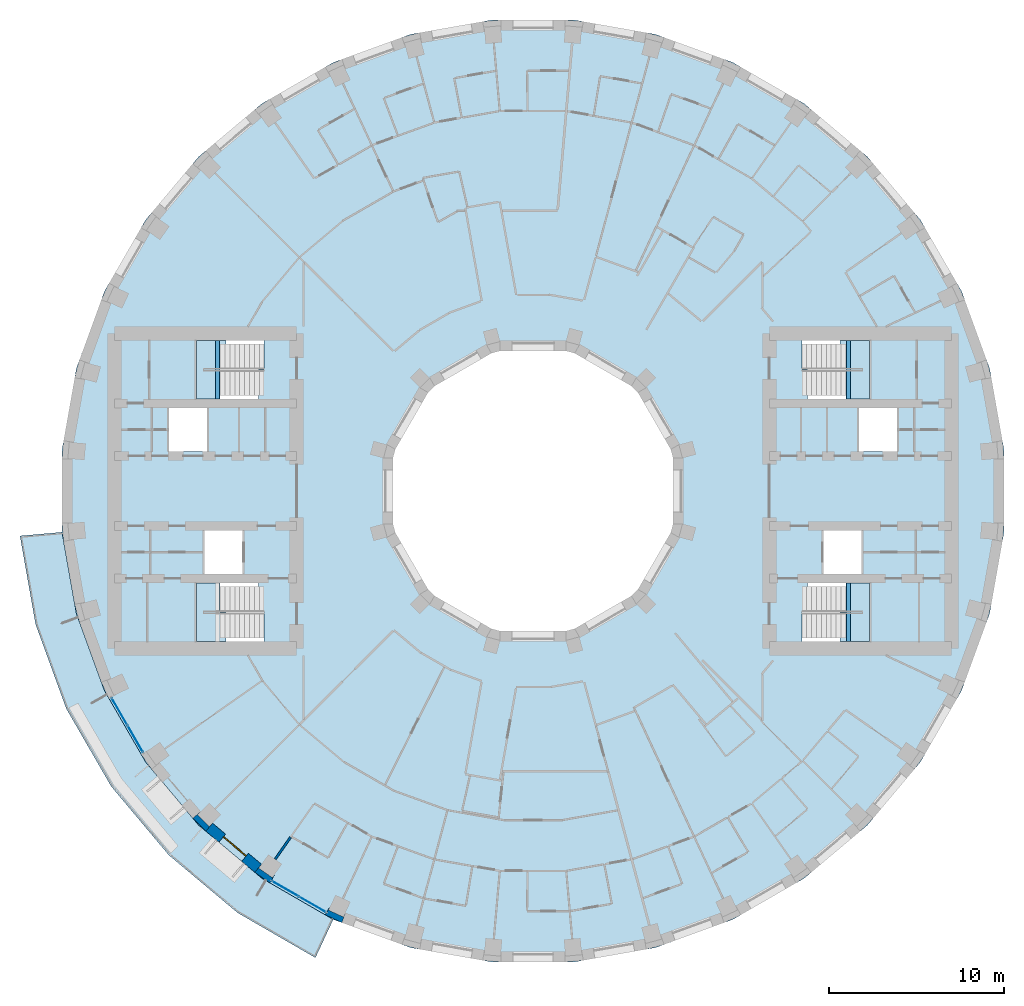
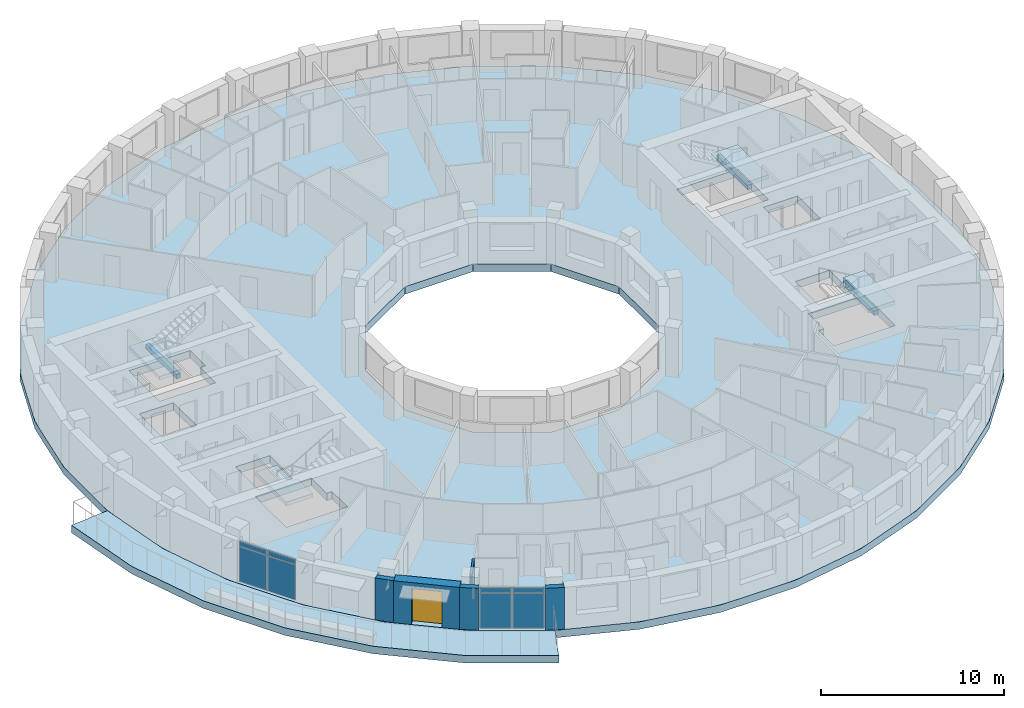
# One storey, part 3 of 16: 8 plates, 6 slabs, 5 walls, 3 beams, 1 door, 1 opening, 6 elements without a shape of their own.
"""IFC4 building model written with IfcOpenShell, lengths in metres."""

from ifc_helpers import new_model, si_unit, direction, frame, frame_2d, origin, origin_2d, place, context, subcontext, project, spatial, polyline, rectangle, outline, extrude, material, layer, layer_set, material_profile, profile_set, type_object, element, fill, aggregate, save


model = new_model("IFC4")

# Units and contexts
model_context = context("Model", 3, precision=1e-05, world=origin(), true_north=direction((0.0, 1.0)))
body_context = subcontext(model_context, "Body", "Model", "MODEL_VIEW")
ifc_project = project(units=[si_unit("LENGTHUNIT", "METRE"), si_unit("AREAUNIT", "SQUARE_METRE"), si_unit("VOLUMEUNIT", "CUBIC_METRE"), si_unit("PLANEANGLEUNIT", "RADIAN"), si_unit("MASSUNIT", "GRAM", prefix="KILO")], contexts=[model_context])

# Site, building, storey
site_placement = place(None, origin())
site = spatial("IfcSite", under=ifc_project, at=site_placement, CompositionType="ELEMENT")
building_placement = place(site_placement, origin())
building = spatial("IfcBuilding", under=site, at=building_placement, Name="Saqina Gate Tower", CompositionType="ELEMENT")
storey_placement = place(building_placement, frame((0.0, 0.0, 124.89990234375)))
storey = spatial("IfcBuildingStorey", under=building, at=storey_placement, Name="L35", CompositionType="ELEMENT", Elevation=124.89990234375)

# Beams
ifc_material_1 = material(Name="Concrete C40/50", Category="concrete")
ifc_material_profile = material_profile(ifc_material_1, rectangle(XDim=0.25, YDim=0.300048828125, at=origin_2d()), Name="STAIR LANDING BEAM")
ifc_profile_set = profile_set([ifc_material_profile], Name="Concrete C40/50")
beam_type = type_object("IfcBeamType", Name="STAIR LANDING BEAM", PredefinedType="BEAM", material=ifc_profile_set)
for number, where, z_axis, x_axis, name in (
    (1, (18.02001953125, 5.25, 1.25), (0.0, 1.0, 0.0), (-1.0, 0.0, 0.0), "EXIT STAIR 1 LANDING BEAM"),
    (2, (18.02001953125, -8.60009765625, 1.25), (0.0, 1.0, 0.0), (-1.0, 0.0, 0.0), "EXIT STAIR 2 LANDING BEAM"),
    (3, (-18.02001953125, 5.25, 1.25), (0.0, 1.0, 0.0), (-1.0, 0.0, 0.0), "EXIT STAIR 3 LANDING BEAM"),
):
    element("IfcBeam", number, at=place(storey_placement, frame(where, z_axis=z_axis, x_axis=x_axis)), inside=storey, type_object=beam_type, Name=name, PredefinedType="BEAM", context=body_context, shape_type="SweptSolid", body=[
        extrude(rectangle(XDim=0.25, YDim=0.300048828125, at=origin_2d()), origin(), (0.0, 0.0, 1.0), 3.35009765625),
    ])

# Curtain wall, plates
ifc_material_2 = material(Name="Aluminium glazing", Category="aluminium")
ifc_layer_1 = layer(ifc_material_2, 0.159912109375)
ifc_layer_set_1 = layer_set([ifc_layer_1], Name="CWT-4")
curtain_wall_type = type_object("IfcCurtainWallType", Name="CWT-4", PredefinedType="NOTDEFINED", material=ifc_layer_set_1)
curtain_wall_1_placement = place(storey_placement, origin())
curtain_wall_1 = element("IfcCurtainWall", 4, at=curtain_wall_1_placement, inside=storey, type_object=curtain_wall_type, Name="Terrace lounge glazing facet 21", PredefinedType="NOTDEFINED")
ifc_material_3 = material(Name="Glass", Category="glass")
ifc_layer_2 = layer(ifc_material_3, 0.028076171875)
ifc_layer_set_2 = layer_set([ifc_layer_2], Name="CWT-4P")
plate_type = type_object("IfcPlateType", Name="CWT-4P", PredefinedType="CURTAIN_PANEL", material=ifc_layer_set_2)
plate_1_placement = place(storey_placement, frame((-23.6123046875, -12.596923828125, 0.06005859375), z_axis=(0.0, 0.0, 1.0), x_axis=(0.499998512381, -0.86602626266, 0.0)))
plate_1 = element("IfcPlate", 5, at=plate_1_placement, type_object=plate_type, Name="CW4-21 panel 1.1", PredefinedType="CURTAIN_PANEL", context=body_context, shape_type="SweptSolid", body=[
    extrude(rectangle(XDim=1.73388671875, YDim=0.028076171875, at=origin_2d()), origin(), (0.0, 0.0, 1.0), 2.31005859375),
])
plate_2_placement = place(storey_placement, frame((-23.6123046875, -12.596923828125, 2.43017578125), z_axis=(0.0, 0.0, 1.0), x_axis=(0.499998512381, -0.86602626266, 0.0)))
plate_2 = element("IfcPlate", 6, at=plate_2_placement, type_object=plate_type, Name="CW4-21 panel 1.2", PredefinedType="CURTAIN_PANEL", context=body_context, shape_type="SweptSolid", body=[
    extrude(rectangle(XDim=1.73388671875, YDim=0.028076171875, at=origin_2d()), origin(), (0.0, 0.0, 1.0), 0.31005859375),
])
plate_3_placement = place(storey_placement, frame((-22.71533203125, -14.150390625, 0.06005859375), z_axis=(0.0, 0.0, 1.0), x_axis=(0.499998512381, -0.86602626266, 0.0)))
plate_3 = element("IfcPlate", 7, at=plate_3_placement, type_object=plate_type, Name="CW4-21 panel 2.1", PredefinedType="CURTAIN_PANEL", context=body_context, shape_type="SweptSolid", body=[
    extrude(rectangle(XDim=1.73388671875, YDim=0.028076171875, at=origin_2d()), origin(), (0.0, 0.0, 1.0), 2.31005859375),
])
plate_4_placement = place(storey_placement, frame((-22.71533203125, -14.150390625, 2.43017578125), z_axis=(0.0, 0.0, 1.0), x_axis=(0.499998512381, -0.86602626266, 0.0)))
plate_4 = element("IfcPlate", 8, at=plate_4_placement, type_object=plate_type, Name="CW4-21 panel 2.2", PredefinedType="CURTAIN_PANEL", context=body_context, shape_type="SweptSolid", body=[
    extrude(rectangle(XDim=1.73388671875, YDim=0.028076171875, at=origin_2d()), origin(), (0.0, 0.0, 1.0), 0.31005859375),
])
aggregate(curtain_wall_1, [plate_1, plate_2, plate_3, plate_4])

curtain_wall_2_placement = place(storey_placement, origin())
curtain_wall_2 = element("IfcCurtainWall", 9, at=curtain_wall_2_placement, inside=storey, type_object=curtain_wall_type, Name="Terrace lounge glazing facet 24", PredefinedType="NOTDEFINED")
plate_5_placement = place(storey_placement, frame((-14.150390625, -22.71533203125, 0.06005859375), z_axis=(0.0, 0.0, 1.0), x_axis=(0.86602626266, -0.499998512381, 0.0)))
plate_5 = element("IfcPlate", 10, at=plate_5_placement, type_object=plate_type, Name="CW4-24 panel 1.1", PredefinedType="CURTAIN_PANEL", context=body_context, shape_type="SweptSolid", body=[
    extrude(rectangle(XDim=1.73388671875, YDim=0.028076171875, at=origin_2d()), origin(), (0.0, 0.0, 1.0), 2.31005859375),
])
plate_6_placement = place(storey_placement, frame((-14.150390625, -22.71533203125, 2.43017578125), z_axis=(0.0, 0.0, 1.0), x_axis=(0.86602626266, -0.499998512381, 0.0)))
plate_6 = element("IfcPlate", 11, at=plate_6_placement, type_object=plate_type, Name="CW4-24 panel 1.2", PredefinedType="CURTAIN_PANEL", context=body_context, shape_type="SweptSolid", body=[
    extrude(rectangle(XDim=1.73388671875, YDim=0.028076171875, at=origin_2d()), origin(), (0.0, 0.0, 1.0), 0.31005859375),
])
plate_7_placement = place(storey_placement, frame((-12.596923828125, -23.6123046875, 0.06005859375), z_axis=(0.0, 0.0, 1.0), x_axis=(0.86602626266, -0.499998512381, 0.0)))
plate_7 = element("IfcPlate", 12, at=plate_7_placement, type_object=plate_type, Name="CW4-24 panel 2.1", PredefinedType="CURTAIN_PANEL", context=body_context, shape_type="SweptSolid", body=[
    extrude(rectangle(XDim=1.73388671875, YDim=0.028076171875, at=origin_2d()), origin(), (0.0, 0.0, 1.0), 2.31005859375),
])
plate_8_placement = place(storey_placement, frame((-12.596923828125, -23.6123046875, 2.43017578125), z_axis=(0.0, 0.0, 1.0), x_axis=(0.86602626266, -0.499998512381, 0.0)))
plate_8 = element("IfcPlate", 13, at=plate_8_placement, type_object=plate_type, Name="CW4-24 panel 2.2", PredefinedType="CURTAIN_PANEL", context=body_context, shape_type="SweptSolid", body=[
    extrude(rectangle(XDim=1.73388671875, YDim=0.028076171875, at=origin_2d()), origin(), (0.0, 0.0, 1.0), 0.31005859375),
])
aggregate(curtain_wall_2, [plate_5, plate_6, plate_7, plate_8])

# Stair, slab
ifc_material_4 = material(Name="Concrete C40/50", Category="concrete")
stair_type = type_object("IfcStairType", Name="EXIT STAIR", PredefinedType="HALF_TURN_STAIR", material=ifc_material_4)
stair_1_placement = place(storey_placement, origin())
stair_1 = element("IfcStair", 14, at=stair_1_placement, inside=storey, type_object=stair_type, Name="EXIT STAIR 1", PredefinedType="HALF_TURN_STAIR")
ifc_material_5 = material(Name="Concrete C40/50", Category="concrete")
ifc_layer_3 = layer(ifc_material_5, 0.25)
ifc_layer_set_3 = layer_set([ifc_layer_3], Name="Concrete C40/50")
slab_type_1 = type_object("IfcSlabType", Name="EXIT STAIR LANDING", PredefinedType="LANDING", material=ifc_layer_set_3)
slab_1_placement = place(storey_placement, frame((0.0, 0.0, 1.400146484375)))
slab_1 = element("IfcSlab", 15, at=slab_1_placement, type_object=slab_type_1, Name="EXIT STAIR 1 LANDING 1", PredefinedType="LANDING", context=body_context, shape_type="SweptSolid", body=[
    extrude(outline(polyline([(19.219970703125, 8.60009765625), (19.219970703125, 5.25), (17.864990234375, 5.25), (17.864990234375, 6.925048828125), (17.534423828125, 6.925048828125), (17.534423828125, 8.60009765625), (17.864990234375, 8.60009765625), (17.8701171875, 8.60009765625), (19.219970703125, 8.60009765625)])), origin(), (0.0, 0.0, 1.0), 0.25),
])
aggregate(stair_1, [slab_1])

stair_2_placement = place(storey_placement, origin())
stair_2 = element("IfcStair", 16, at=stair_2_placement, inside=storey, type_object=stair_type, Name="EXIT STAIR 2", PredefinedType="HALF_TURN_STAIR")
slab_2_placement = place(storey_placement, frame((0.0, 0.0, 1.400146484375)))
slab_2 = element("IfcSlab", 17, at=slab_2_placement, type_object=slab_type_1, Name="EXIT STAIR 2 LANDING 1", PredefinedType="LANDING", context=body_context, shape_type="SweptSolid", body=[
    extrude(outline(polyline([(17.534423828125, -8.60009765625), (17.534423828125, -6.925048828125), (17.864990234375, -6.925048828125), (17.864990234375, -5.25), (19.219970703125, -5.25), (19.219970703125, -8.60009765625), (17.8701171875, -8.60009765625), (17.864990234375, -8.60009765625), (17.534423828125, -8.60009765625)])), origin(), (0.0, 0.0, 1.0), 0.25),
])
aggregate(stair_2, [slab_2])

stair_3_placement = place(storey_placement, origin())
stair_3 = element("IfcStair", 18, at=stair_3_placement, inside=storey, type_object=stair_type, Name="EXIT STAIR 3", PredefinedType="HALF_TURN_STAIR")
slab_3_placement = place(storey_placement, frame((0.0, 0.0, 1.400146484375)))
slab_3 = element("IfcSlab", 19, at=slab_3_placement, type_object=slab_type_1, Name="EXIT STAIR 3 LANDING 1", PredefinedType="LANDING", context=body_context, shape_type="SweptSolid", body=[
    extrude(outline(polyline([(-17.864990234375, 5.25), (-19.219970703125, 5.25), (-19.219970703125, 8.60009765625), (-17.8701171875, 8.60009765625), (-17.864990234375, 8.60009765625), (-17.534423828125, 8.60009765625), (-17.534423828125, 6.925048828125), (-17.864990234375, 6.925048828125), (-17.864990234375, 5.25)])), origin(), (0.0, 0.0, 1.0), 0.25),
])
aggregate(stair_3, [slab_3])

stair_4_placement = place(storey_placement, origin())
stair_4 = element("IfcStair", 20, at=stair_4_placement, inside=storey, type_object=stair_type, Name="EXIT STAIR 4", PredefinedType="HALF_TURN_STAIR")
slab_4_placement = place(storey_placement, frame((0.0, 0.0, 1.400146484375)))
slab_4 = element("IfcSlab", 21, at=slab_4_placement, type_object=slab_type_1, Name="EXIT STAIR 4 LANDING 1", PredefinedType="LANDING", context=body_context, shape_type="SweptSolid", body=[
    extrude(outline(polyline([(-17.534423828125, -6.925048828125), (-17.534423828125, -8.60009765625), (-17.864990234375, -8.60009765625), (-17.8701171875, -8.60009765625), (-19.219970703125, -8.60009765625), (-19.219970703125, -5.25), (-17.864990234375, -5.25), (-17.864990234375, -6.925048828125), (-17.534423828125, -6.925048828125)])), origin(), (0.0, 0.0, 1.0), 0.25),
])
aggregate(stair_4, [slab_4])

# Slabs
ifc_material_6 = material(Name="Concrete C40/50", Category="concrete")
ifc_layer_4 = layer(ifc_material_6, 0.5)
ifc_layer_set_4 = layer_set([ifc_layer_4], Name="Concrete C40/50")
slab_type_2 = type_object("IfcSlabType", Name="STR-POST-TENSIONED FLAT PLATE FLOOR-500", PredefinedType="FLOOR", material=ifc_layer_set_4)
slab_5_placement = place(storey_placement, frame((0.0, 0.0, -0.5)))
element("IfcSlab", 22, at=slab_5_placement, inside=storey, type_object=slab_type_2, Name="L35-SLB01", PredefinedType="FLOOR", context=body_context, shape_type="SweptSolid", body=[
    extrude(outline(polyline([(26.080078125, -6.988037109375), (26.897216796875, -2.353271484375), (26.897216796875, 2.353271484375), (26.080078125, 6.988037109375), (24.47021484375, 11.41064453125), (22.1171875, 15.486572265625), (19.091796875, 19.091796875), (15.486572265625, 22.1171875), (11.41064453125, 24.47021484375), (6.988037109375, 26.080078125), (2.353271484375, 26.897216796875), (-2.353271484375, 26.897216796875), (-6.988037109375, 26.080078125), (-11.41064453125, 24.47021484375), (-15.486572265625, 22.1171875), (-19.091796875, 19.091796875), (-22.1171875, 15.486572265625), (-24.47021484375, 11.41064453125), (-26.080078125, 6.988037109375), (-26.897216796875, 2.353271484375), (-26.897216796875, -2.353271484375), (-26.080078125, -6.988037109375), (-24.47021484375, -11.41064453125), (-22.1171875, -15.486572265625), (-19.091796875, -19.091796875), (-15.486572265625, -22.1171875), (-11.41064453125, -24.47021484375), (-6.988037109375, -26.080078125), (-2.353271484375, -26.897216796875), (2.353271484375, -26.897216796875), (6.988037109375, -26.080078125), (11.41064453125, -24.47021484375), (15.486572265625, -22.1171875), (19.091796875, -19.091796875), (22.1171875, -15.486572265625), (24.47021484375, -11.41064453125), (26.080078125, -6.988037109375)]), holes=[polyline([(2.1435546875, 8.0), (5.8564453125, 5.8564453125), (8.0, 2.1435546875), (8.0, -2.1435546875), (5.8564453125, -5.8564453125), (2.1435546875, -8.0), (-2.1435546875, -8.0), (-5.8564453125, -5.8564453125), (-8.0, -2.1435546875), (-8.0, 2.1435546875), (-5.8564453125, 5.8564453125), (-2.1435546875, 8.0), (2.1435546875, 8.0)]), polyline([(-15.35498046875, -8.60009765625), (-19.219970703125, -8.60009765625), (-19.219970703125, -6.925048828125), (-19.219970703125, -5.25), (-15.685546875, -5.25), (-15.685546875, -6.925048828125), (-15.35498046875, -6.925048828125), (-15.35498046875, -8.60009765625)]), polyline([(-16.590087890625, -2.25), (-16.590087890625, -4.75), (-18.75, -4.75), (-18.75, -2.25), (-16.590087890625, -2.25)]), polyline([(-20.780029296875, 4.75), (-18.6201171875, 4.75), (-18.6201171875, 2.25), (-20.780029296875, 2.25), (-20.780029296875, 4.75)]), polyline([(-19.219970703125, 6.925048828125), (-19.219970703125, 8.60009765625), (-15.35498046875, 8.60009765625), (-15.35498046875, 6.925048828125), (-15.685546875, 6.925048828125), (-15.685546875, 5.25), (-19.219970703125, 5.25), (-19.219970703125, 6.925048828125)]), polyline([(15.35498046875, -8.60009765625), (15.35498046875, -6.925048828125), (15.685546875, -6.925048828125), (15.685546875, -5.25), (19.219970703125, -5.25), (19.219970703125, -6.925048828125), (19.219970703125, -8.60009765625), (15.35498046875, -8.60009765625)]), polyline([(18.75, -2.25), (18.75, -4.75), (16.590087890625, -4.75), (16.590087890625, -2.25), (18.75, -2.25)]), polyline([(18.6201171875, 4.75), (20.780029296875, 4.75), (20.780029296875, 2.25), (18.6201171875, 2.25), (18.6201171875, 4.75)]), polyline([(15.685546875, 6.925048828125), (15.35498046875, 6.925048828125), (15.35498046875, 8.60009765625), (19.219970703125, 8.60009765625), (19.219970703125, 6.925048828125), (19.219970703125, 5.25), (15.685546875, 5.25), (15.685546875, 6.925048828125)])]), origin(), (0.0, 0.0, 1.0), 0.5),
])
ifc_material_7 = material(Name="Concrete C40/50", Category="concrete")
ifc_layer_5 = layer(ifc_material_7, 0.5)
ifc_layer_set_5 = layer_set([ifc_layer_5], Name="Concrete C40/50")
slab_type_3 = type_object("IfcSlabType", Name="STR-POST-TENSIONED FLAT PLATE TERRACE-500", PredefinedType="FLOOR", material=ifc_layer_set_5)
slab_6_placement = place(storey_placement, frame((0.0, 0.0, -0.5)))
element("IfcSlab", 23, at=slab_6_placement, inside=storey, type_object=slab_type_3, Name="L35-TRS01", PredefinedType="FLOOR", context=body_context, shape_type="SweptSolid", body=[
    extrude(outline(polyline([(-26.897216796875, -2.353271484375), (-26.080078125, -6.988037109375), (-24.47021484375, -11.41064453125), (-22.1171875, -15.486572265625), (-19.091796875, -19.091796875), (-15.486572265625, -22.1171875), (-11.41064453125, -24.47021484375), (-12.428955078125, -26.65380859375), (-16.868408203125, -24.090576171875), (-20.79541015625, -20.79541015625), (-24.090576171875, -16.868408203125), (-26.65380859375, -12.428955078125), (-28.406982421875, -7.611572265625), (-29.29736328125, -2.563232421875), (-26.897216796875, -2.353271484375)])), origin(), (0.0, 0.0, 1.0), 0.5),
])

# Walls
ifc_material_8 = material(Name="Brick masonry (buff)", Category="masonry")
wall_type_1 = type_object("IfcWallType", Name="BRICK PIER COPING BUFF", PredefinedType="SOLIDWALL", material=ifc_material_8)
wall_1_placement = place(storey_placement, origin())
element("IfcWall", 24, at=wall_1_placement, inside=storey, type_object=wall_type_1, Name="Pier cap L35 column 23", PredefinedType="SOLIDWALL", context=body_context, shape_type="SweptSolid", body=[
    extrude(outline(polyline([(-19.43212890625, -18.686279296875), (-18.686279296875, -19.43212890625), (-18.30078125, -18.972412109375), (-18.49072265625, -19.16259765625), (-19.16259765625, -18.49072265625), (-18.972412109375, -18.30078125), (-19.43212890625, -18.686279296875)])), origin(), (0.0, 0.0, 1.0), 2.800048828125),
])
wall_2_placement = place(storey_placement, origin())
element("IfcWall", 25, at=wall_2_placement, inside=storey, type_object=wall_type_1, Name="Pier cap L35 column 24", PredefinedType="SOLIDWALL", context=body_context, shape_type="SweptSolid", body=[
    extrude(outline(polyline([(-15.0283203125, -22.3818359375), (-14.728271484375, -21.862060546875), (-14.88232421875, -22.08251953125), (-15.66064453125, -21.53759765625), (-15.50634765625, -21.317138671875), (-15.89208984375, -21.77685546875), (-15.0283203125, -22.3818359375)])), origin(), (0.0, 0.0, 1.0), 2.800048828125),
])
wall_3_placement = place(storey_placement, origin())
element("IfcWall", 26, at=wall_3_placement, inside=storey, type_object=wall_type_1, Name="Pier cap L35 column 25", PredefinedType="SOLIDWALL", context=body_context, shape_type="SweptSolid", body=[
    extrude(outline(polyline([(-10.913330078125, -24.6513671875), (-10.7080078125, -24.08740234375), (-10.82177734375, -24.331298828125), (-11.6826171875, -23.9296875), (-11.569091796875, -23.68603515625), (-11.869140625, -24.205810546875), (-10.913330078125, -24.6513671875)])), origin(), (0.0, 0.0, 1.0), 2.800048828125),
])

# Wall, opening, door
ifc_material_9 = material(Name="Brick masonry (buff)", Category="masonry")
ifc_layer_6 = layer(ifc_material_9, 0.60009765625)
ifc_layer_set_6 = layer_set([ifc_layer_6], Name="FW-BRICK-BUFF")
wall_type_2 = type_object("IfcWallType", Name="FW-BRICK-BUFF", PredefinedType="SOLIDWALL", material=ifc_layer_set_6)
wall_4_placement = place(storey_placement, frame((-18.49365234375, -19.202392578125, 0.0), z_axis=(0.0, 0.0, 1.0), x_axis=(0.766055462616, -0.642774476932, 0.0)))
wall_4 = element("IfcWall", 27, at=wall_4_placement, inside=storey, type_object=wall_type_2, Name="Facade wall L35 facet 23", PredefinedType="SOLIDWALL", context=body_context, shape_type="SweptSolid", body=[
    extrude(rectangle(XDim=3.647705078125, YDim=0.60009765625, at=frame_2d((1.82373046875, 0.0))), origin(), (0.0, 0.0, 1.0), 2.800048828125),
])
opening_placement = place(wall_4_placement, frame((0.973876953125, 0.0, 0.0)))
opening = element("IfcOpeningElement", 28, at=opening_placement, cuts=wall_4, Name="Opening G10-D81", PredefinedType="OPENING", context=body_context, shape_type="SweptSolid", body=[
    extrude(rectangle(XDim=1.699951171875, YDim=2.39990234375, at=frame_2d((0.85009765625, 1.199951171875))), frame((0.0, 0.31201171875, 0.0), z_axis=(0.0, -1.0, 0.0), x_axis=(1.0, 0.0, 0.0)), (0.0, 0.0, 1.0), 0.6240234375),
])
ifc_material_10 = material(Name="Aluminium glazing", Category="aluminium")
door_type = type_object("IfcDoorType", Name="GD-B", OperationType="DOUBLE_DOOR_SINGLE_SWING", PredefinedType="DOOR", material=ifc_material_10)
door_placement = place(opening_placement, frame((1.699951171875, 0.0, 0.0), z_axis=(0.0, 0.0, 1.0), x_axis=(-1.0, 0.0, 0.0)))
door = element("IfcDoor", 29, at=door_placement, inside=storey, type_object=door_type, Name="Terrace door L35 facet 23", OperationType="DOUBLE_DOOR_SINGLE_SWING", OverallHeight=2.39990234375, OverallWidth=1.699951171875, PredefinedType="DOOR", context=body_context, shape_type="SweptSolid", body=[
    extrude(rectangle(XDim=1.699951171875, YDim=2.39990234375, at=frame_2d((0.85009765625, 1.199951171875))), frame((0.0, -0.0751953125, 0.0), z_axis=(0.0, -1.0, 0.0), x_axis=(1.0, 0.0, 0.0)), (0.0, 0.0, 1.0), 0.050048828125),
])
fill(opening, door)

# Wall
ifc_material_11 = material(Name="Gypsum board on steel studs, 125 mm, fire rated", Category="steel")
ifc_layer_7 = layer(ifc_material_11, 0.125)
ifc_layer_set_7 = layer_set([ifc_layer_7], Name="PARTITION EI 30 125")
wall_type_3 = type_object("IfcWallType", Name="PARTITION EI 30 125", PredefinedType="PARTITIONING", material=ifc_layer_set_7)
wall_5_placement = place(storey_placement, frame((-14.720703125, -21.0234375, 0.0), z_axis=(0.0, 0.0, 1.0), x_axis=(0.573344270264, 0.819314559711, 0.0)))
element("IfcWall", 30, at=wall_5_placement, inside=storey, type_object=wall_type_3, Name="PARTITION PW1-52", PredefinedType="PARTITIONING", context=body_context, shape_type="SweptSolid", body=[
    extrude(rectangle(XDim=1.526611328125, YDim=0.125, at=frame_2d((0.76318359375, 0.0))), origin(), (0.0, 0.0, 1.0), 2.800048828125),
])

save(model, "model.ifc")
